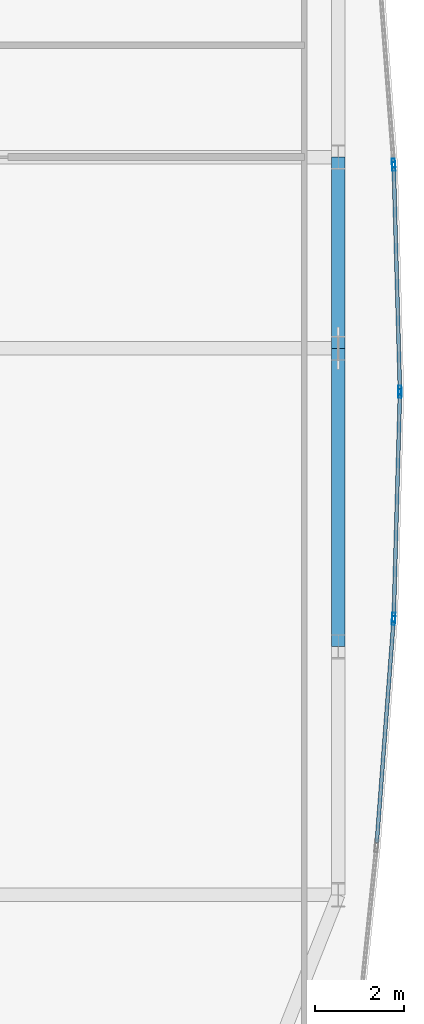
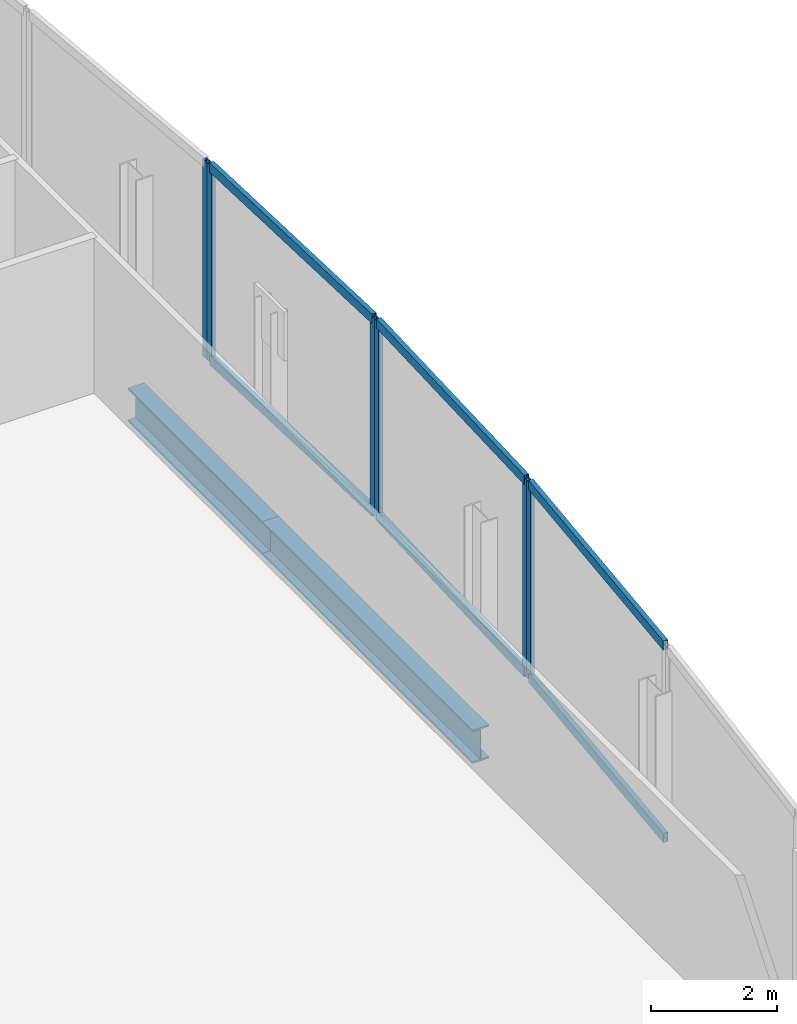
# One storey, part 22 of 33: 12 members, 2 beams, 4 elements without a shape of their own.
"""IFC4 building model written with IfcOpenShell, lengths in metres."""

from ifc_helpers import new_model, si_unit, direction, frame, origin, origin_2d, place, context, subcontext, project, spatial, hollow_rectangle, i_section, extrude, material, material_profile, profile_set, type_object, element, aggregate, save


model = new_model("IFC4")

# Units and contexts
model_context = context("Model", 3, precision=1e-05, world=origin(), true_north=direction((0.0, 1.0)))
body_context = subcontext(model_context, "Body", "Model", "MODEL_VIEW")
ifc_project = project(units=[si_unit("LENGTHUNIT", "METRE"), si_unit("AREAUNIT", "SQUARE_METRE"), si_unit("VOLUMEUNIT", "CUBIC_METRE"), si_unit("PLANEANGLEUNIT", "RADIAN"), si_unit("MASSUNIT", "GRAM", prefix="KILO")], contexts=[model_context])

# Site, building, storey
site_placement = place(None, origin())
site = spatial("IfcSite", under=ifc_project, at=site_placement, CompositionType="ELEMENT")
building_placement = place(site_placement, origin())
building = spatial("IfcBuilding", under=site, at=building_placement, Name="Khoronbel Lancet Exchange", CompositionType="ELEMENT")
storey_placement = place(building_placement, frame((0.0, 0.0, 33.800048828125)))
storey = spatial("IfcBuildingStorey", under=building, at=storey_placement, Name="L07", CompositionType="ELEMENT", Elevation=33.800048828125)

# Beams
ifc_material_1 = material(Name="Steel S355", Category="steel")
ifc_material_profile_1 = material_profile(ifc_material_1, i_section(OverallWidth=0.300048828125, OverallDepth=0.64990234375, WebThickness=0.01611328125, FlangeThickness=0.031005859375, at=origin_2d()), Name="HEB 650")
ifc_profile_set_1 = profile_set([ifc_material_profile_1], Name="Steel S355")
beam_type = type_object("IfcBeamType", Name="BM-BSP1", PredefinedType="SPANDREL", material=ifc_profile_set_1)
beam_1_placement = place(storey_placement, frame((71.6298828125, 24.75, -0.505126953125), z_axis=(0.0, 1.0, 0.0), x_axis=(-1.0, 0.0, 0.0)))
element("IfcBeam", 1, at=beam_1_placement, inside=storey, type_object=beam_type, Name="Level L07 perimeter spandrel beam SP12", PredefinedType="SPANDREL", context=body_context, shape_type="SweptSolid", body=[
    extrude(i_section(OverallWidth=0.300048828125, OverallDepth=0.64990234375, WebThickness=0.01611328125, FlangeThickness=0.031005859375, at=origin_2d()), origin(), (0.0, 0.0, 1.0), 6.675048828125),
])
beam_2_placement = place(storey_placement, frame((71.6298828125, 31.425048828125, -0.505126953125), z_axis=(0.0, 1.0, 0.0), x_axis=(-1.0, 0.0, 0.0)))
element("IfcBeam", 2, at=beam_2_placement, inside=storey, type_object=beam_type, Name="Level L07 perimeter spandrel beam SP13", PredefinedType="SPANDREL", context=body_context, shape_type="SweptSolid", body=[
    extrude(i_section(OverallWidth=0.300048828125, OverallDepth=0.64990234375, WebThickness=0.01611328125, FlangeThickness=0.031005859375, at=origin_2d()), origin(), (0.0, 0.0, 1.0), 4.27490234375),
])

# Curtain wall, member
ifc_material_2 = material(Name="Low-E Solar Control Insulating Glass", Category="glass")
curtain_wall_type = type_object("IfcCurtainWallType", Name="CW-4", PredefinedType="NOTDEFINED", material=ifc_material_2)
curtain_wall_1_placement = place(storey_placement, origin())
curtain_wall_1 = element("IfcCurtainWall", 3, at=curtain_wall_1_placement, inside=storey, type_object=curtain_wall_type, Name="Unitised curtain wall CW-L07-E18", PredefinedType="NOTDEFINED")
ifc_material_3 = material(Name="Bronze-Anodised Aluminium 6063-T6", Category="aluminium")
ifc_material_profile_2 = material_profile(ifc_material_3, hollow_rectangle(XDim=0.074951171875, YDim=0.199951171875, WallThickness=0.0048828125, at=origin_2d()), Name="ALU MULLION 75x200")
ifc_profile_set_2 = profile_set([ifc_material_profile_2], Name="Bronze-Anodised Aluminium 6063-T6")
member_type_1 = type_object("IfcMemberType", Name="MEM-CWM2", PredefinedType="MULLION", material=ifc_profile_set_2)
member_1_placement = place(storey_placement, frame((72.866455078125, 35.566162109375, 0.0), z_axis=(0.0, 0.0, 1.0), x_axis=(0.997153744129, 0.075395030141, 0.0)))
member_1 = element("IfcMember", 4, at=member_1_placement, type_object=member_type_1, Name="CW4 mullion 2", PredefinedType="MULLION", context=body_context, shape_type="SweptSolid", body=[
    extrude(hollow_rectangle(XDim=0.074951171875, YDim=0.199951171875, WallThickness=0.0048828125, at=origin_2d()), origin(), (0.0, 0.0, 1.0), 3.820068359375),
])
aggregate(curtain_wall_1, [member_1])

# Curtain wall, members
curtain_wall_2_placement = place(storey_placement, origin())
curtain_wall_2 = element("IfcCurtainWall", 5, at=curtain_wall_2_placement, inside=storey, type_object=curtain_wall_type, Name="Unitised curtain wall CW-L07-E19", PredefinedType="NOTDEFINED")
member_2_placement = place(storey_placement, frame((72.870361328125, 35.4912109375, 0.0), z_axis=(0.0, 0.0, 1.0), x_axis=(0.999617011286, 0.027673647157, 0.0)))
member_2 = element("IfcMember", 6, at=member_2_placement, type_object=member_type_1, Name="CW4 mullion 1", PredefinedType="MULLION", context=body_context, shape_type="SweptSolid", body=[
    extrude(hollow_rectangle(XDim=0.074951171875, YDim=0.199951171875, WallThickness=0.0048828125, at=origin_2d()), origin(), (0.0, 0.0, 1.0), 3.820068359375),
])
member_3_placement = place(storey_placement, frame((73.009033203125, 30.487548828125, 0.0), z_axis=(0.0, 0.0, 1.0), x_axis=(0.999617011286, 0.027673647157, 0.0)))
member_3 = element("IfcMember", 7, at=member_3_placement, type_object=member_type_1, Name="CW4 mullion 2", PredefinedType="MULLION", context=body_context, shape_type="SweptSolid", body=[
    extrude(hollow_rectangle(XDim=0.074951171875, YDim=0.199951171875, WallThickness=0.0048828125, at=origin_2d()), origin(), (0.0, 0.0, 1.0), 3.820068359375),
])

curtain_wall_3_placement = place(storey_placement, origin())
curtain_wall_3 = element("IfcCurtainWall", 8, at=curtain_wall_3_placement, inside=storey, type_object=curtain_wall_type, Name="Unitised curtain wall CW-L07-E20", PredefinedType="NOTDEFINED")
member_4_placement = place(storey_placement, frame((73.009033203125, 30.41259765625, 0.0), z_axis=(0.0, 0.0, 1.0), x_axis=(0.999617011286, -0.027673647157, 0.0)))
member_4 = element("IfcMember", 9, at=member_4_placement, type_object=member_type_1, Name="CW4 mullion 1", PredefinedType="MULLION", context=body_context, shape_type="SweptSolid", body=[
    extrude(hollow_rectangle(XDim=0.074951171875, YDim=0.199951171875, WallThickness=0.0048828125, at=origin_2d()), origin(), (0.0, 0.0, 1.0), 3.820068359375),
])
member_5_placement = place(storey_placement, frame((72.870361328125, 25.40869140625, 0.0), z_axis=(0.0, 0.0, 1.0), x_axis=(0.999617011286, -0.027673647157, 0.0)))
member_5 = element("IfcMember", 10, at=member_5_placement, type_object=member_type_1, Name="CW4 mullion 2", PredefinedType="MULLION", context=body_context, shape_type="SweptSolid", body=[
    extrude(hollow_rectangle(XDim=0.074951171875, YDim=0.199951171875, WallThickness=0.0048828125, at=origin_2d()), origin(), (0.0, 0.0, 1.0), 3.820068359375),
])

# Curtain wall, member
curtain_wall_4_placement = place(storey_placement, origin())
curtain_wall_4 = element("IfcCurtainWall", 11, at=curtain_wall_4_placement, inside=storey, type_object=curtain_wall_type, Name="Unitised curtain wall CW-L07-E21", PredefinedType="NOTDEFINED")
member_6_placement = place(storey_placement, frame((72.866455078125, 25.333984375, 0.0), z_axis=(0.0, 0.0, 1.0), x_axis=(0.997153744129, -0.075395030141, 0.0)))
member_6 = element("IfcMember", 12, at=member_6_placement, type_object=member_type_1, Name="CW4 mullion 1", PredefinedType="MULLION", context=body_context, shape_type="SweptSolid", body=[
    extrude(hollow_rectangle(XDim=0.074951171875, YDim=0.199951171875, WallThickness=0.0048828125, at=origin_2d()), origin(), (0.0, 0.0, 1.0), 3.820068359375),
])

# Member
ifc_material_profile_3 = material_profile(ifc_material_3, hollow_rectangle(XDim=0.0849609375, YDim=0.179931640625, WallThickness=0.0048828125, at=origin_2d()), Name="ALU TRANSOM 85x180")
ifc_profile_set_3 = profile_set([ifc_material_profile_3], Name="Bronze-Anodised Aluminium 6063-T6")
member_type_2 = type_object("IfcMemberType", Name="MEM-CWT1", PredefinedType="USERDEFINED", material=ifc_profile_set_3)
member_7_placement = place(storey_placement, frame((72.87158203125, 35.45361328125, 0.04248046875), z_axis=(0.027629630064, -0.999618228897, 0.0), x_axis=(0.999618228897, 0.027629630064, 0.0)))
member_7 = element("IfcMember", 13, at=member_7_placement, type_object=member_type_2, Name="CW4 transom 1.1", ObjectType="TRANSOM", PredefinedType="USERDEFINED", context=body_context, shape_type="SweptSolid", body=[
    extrude(hollow_rectangle(XDim=0.0849609375, YDim=0.179931640625, WallThickness=0.0048828125, at=origin_2d()), origin(), (0.0, 0.0, 1.0), 4.9306640625),
])

member_8_placement = place(storey_placement, frame((72.87158203125, 35.45361328125, 3.77734375), z_axis=(0.027629630064, -0.999618228897, 0.0), x_axis=(0.999618228897, 0.027629630064, 0.0)))
member_8 = element("IfcMember", 14, at=member_8_placement, type_object=member_type_2, Name="CW4 transom 1.2", ObjectType="TRANSOM", PredefinedType="USERDEFINED", context=body_context, shape_type="SweptSolid", body=[
    extrude(hollow_rectangle(XDim=0.0849609375, YDim=0.179931640625, WallThickness=0.0048828125, at=origin_2d()), origin(), (0.0, 0.0, 1.0), 4.9306640625),
])

aggregate(curtain_wall_2, [member_2, member_3, member_7, member_8])

member_9_placement = place(storey_placement, frame((73.0078125, 30.375, 0.04248046875), z_axis=(-0.027629630064, -0.999618228897, 0.0), x_axis=(0.999618228897, -0.027629630064, 0.0)))
member_9 = element("IfcMember", 15, at=member_9_placement, type_object=member_type_2, Name="CW4 transom 1.1", ObjectType="TRANSOM", PredefinedType="USERDEFINED", context=body_context, shape_type="SweptSolid", body=[
    extrude(hollow_rectangle(XDim=0.0849609375, YDim=0.179931640625, WallThickness=0.0048828125, at=origin_2d()), origin(), (0.0, 0.0, 1.0), 4.9306640625),
])

member_10_placement = place(storey_placement, frame((73.0078125, 30.375, 3.77734375), z_axis=(-0.027629630064, -0.999618228897, 0.0), x_axis=(0.999618228897, -0.027629630064, 0.0)))
member_10 = element("IfcMember", 16, at=member_10_placement, type_object=member_type_2, Name="CW4 transom 1.2", ObjectType="TRANSOM", PredefinedType="USERDEFINED", context=body_context, shape_type="SweptSolid", body=[
    extrude(hollow_rectangle(XDim=0.0849609375, YDim=0.179931640625, WallThickness=0.0048828125, at=origin_2d()), origin(), (0.0, 0.0, 1.0), 4.9306640625),
])

aggregate(curtain_wall_3, [member_4, member_5, member_9, member_10])

member_11_placement = place(storey_placement, frame((72.86376953125, 25.296630859375, 0.04248046875), z_axis=(-0.07539383567, -0.997153834442, 0.0), x_axis=(0.997153834442, -0.07539383567, 0.0)))
member_11 = element("IfcMember", 17, at=member_11_placement, type_object=member_type_2, Name="CW4 transom 1.1", ObjectType="TRANSOM", PredefinedType="USERDEFINED", context=body_context, shape_type="SweptSolid", body=[
    extrude(hollow_rectangle(XDim=0.0849609375, YDim=0.179931640625, WallThickness=0.0048828125, at=origin_2d()), origin(), (0.0, 0.0, 1.0), 4.94482421875),
])

member_12_placement = place(storey_placement, frame((72.86376953125, 25.296630859375, 3.77734375), z_axis=(-0.07539383567, -0.997153834442, 0.0), x_axis=(0.997153834442, -0.07539383567, 0.0)))
member_12 = element("IfcMember", 18, at=member_12_placement, type_object=member_type_2, Name="CW4 transom 1.2", ObjectType="TRANSOM", PredefinedType="USERDEFINED", context=body_context, shape_type="SweptSolid", body=[
    extrude(hollow_rectangle(XDim=0.0849609375, YDim=0.179931640625, WallThickness=0.0048828125, at=origin_2d()), origin(), (0.0, 0.0, 1.0), 4.94482421875),
])

aggregate(curtain_wall_4, [member_6, member_11, member_12])

save(model, "model.ifc")
